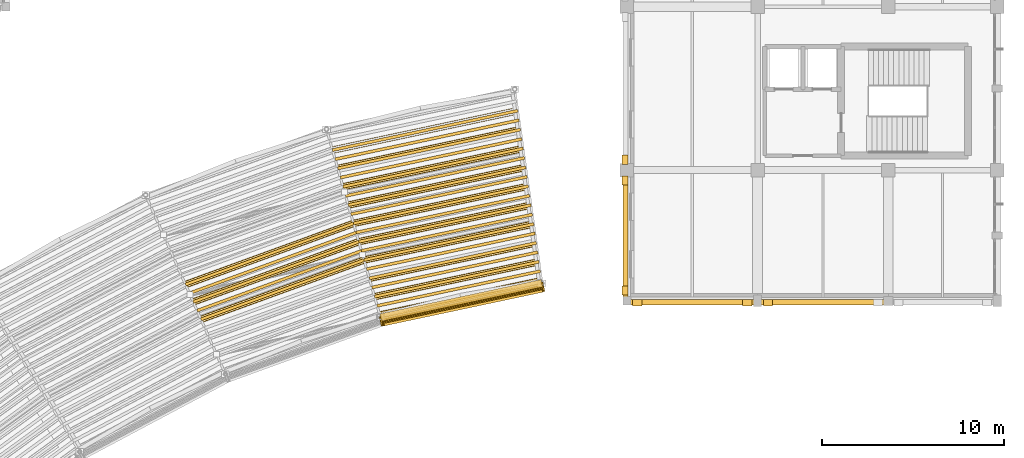
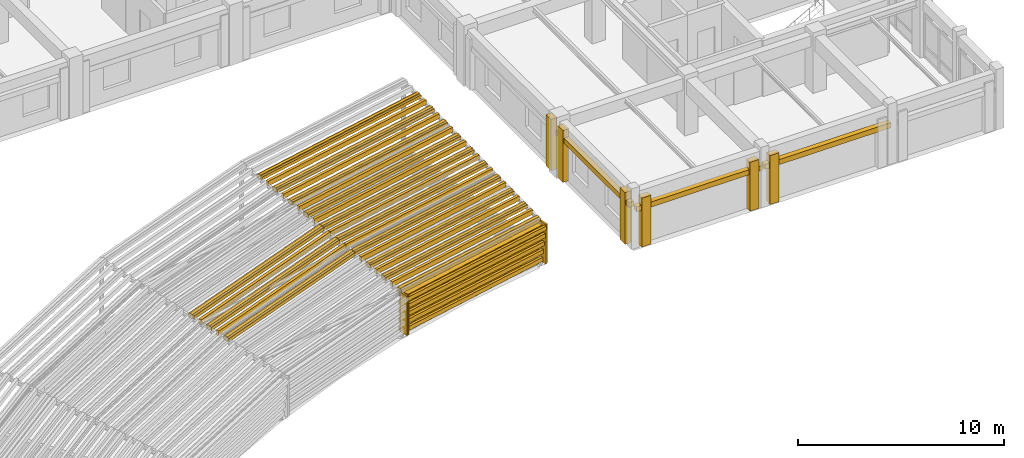
# One storey, part 73 of 74: 47 shading devices, 24 coverings.
"""IFC4 building model written with IfcOpenShell, lengths in metres."""

from ifc_helpers import new_model, si_unit, direction, frame, frame_2d, origin, place, context, subcontext, project, spatial, rectangle, extrude, material, layer, layer_set, type_object, element, save


model = new_model("IFC4")

# Units and contexts
model_context = context("Model", 3, precision=1e-05, world=origin(), true_north=direction((0.0, 1.0)))
body_context = subcontext(model_context, "Body", "Model", "MODEL_VIEW")
ifc_project = project(units=[si_unit("LENGTHUNIT", "METRE"), si_unit("AREAUNIT", "SQUARE_METRE"), si_unit("VOLUMEUNIT", "CUBIC_METRE"), si_unit("PLANEANGLEUNIT", "RADIAN"), si_unit("MASSUNIT", "GRAM", prefix="KILO")], contexts=[model_context])

# Site, building, storey
site_placement = place(None, origin())
site = spatial("IfcSite", under=ifc_project, at=site_placement, CompositionType="ELEMENT")
building_placement = place(site_placement, origin())
building = spatial("IfcBuilding", under=site, at=building_placement, Name="Clarverna Civic Hall", CompositionType="ELEMENT")
storey_placement = place(building_placement, frame((0.0, 0.0, 13.199951171875)))
storey = spatial("IfcBuildingStorey", under=building, at=storey_placement, Name="L03", CompositionType="ELEMENT", Elevation=13.199951171875)

# Coverings
ifc_material_1 = material(Name="Thermally Modified Teak Wood Slat Fascia Cladding", Category="wood")
ifc_layer_1 = layer(ifc_material_1, 0.080078125)
ifc_layer_set_1 = layer_set([ifc_layer_1], Name="Thermally Modified Teak Wood Slat Fascia Cladding")
covering_type_1 = type_object("IfcCoveringType", Name="CV-CL1", PredefinedType="CLADDING", material=ifc_layer_set_1)
covering_1_placement = place(storey_placement, frame((142.91552734375, 72.614501953125, 0.25), z_axis=(0.0, 0.0, 1.0), x_axis=(0.207698491076, -0.978192893454, 0.0)))
element("IfcCovering", 1, at=covering_1_placement, inside=storey, type_object=covering_type_1, Name="CV-CL1-189", PredefinedType="CLADDING", context=body_context, shape_type="SweptSolid", body=[
    extrude(rectangle(XDim=0.51025390625, YDim=0.10009765625, at=frame_2d((0.255126953125, 0.0))), origin(), (0.0, 0.0, 1.0), 2.35009765625),
])
for number, where, z_axis, x_axis, name in (
    (2, (134.01806640625, 70.72314453125, 0.25), (0.0, 0.0, 1.0), (0.207795765849, -0.978172234167, 0.0), "CV-CL1-190"),
    (3, (134.01123046875, 70.72119140625, 0.25), (0.0, 0.0, 1.0), (0.342242639083, -0.93961160912, 0.0), "CV-CL1-191"),
):
    element("IfcCovering", number, at=place(storey_placement, frame(where, z_axis=z_axis, x_axis=x_axis)), inside=storey, type_object=covering_type_1, Name=name, PredefinedType="CLADDING", context=body_context, shape_type="SweptSolid", body=[
        extrude(rectangle(XDim=0.510009765625, YDim=0.10009765625, at=frame_2d((0.2548828125, 0.0))), origin(), (0.0, 0.0, 1.0), 2.35009765625),
    ])
covering_2_placement = place(storey_placement, frame((142.905029296875, 72.714111328125, 2.510009765625), z_axis=(0.0, 0.0, 1.0), x_axis=(-0.978149049757, -0.207904873585, 0.0)))
element("IfcCovering", 4, at=covering_2_placement, inside=storey, type_object=covering_type_1, Name="CV-CL1-199", PredefinedType="CLADDING", context=body_context, shape_type="SweptSolid", body=[
    extrude(rectangle(XDim=9.1171875, YDim=0.340087890625, at=frame_2d((4.55859375, 0.0))), origin(), (0.0, 0.0, 1.0), 0.219970703125),
])
covering_3_placement = place(storey_placement, frame((142.7587890625, 73.75390625, 2.7451171875), z_axis=(0.0, 0.0, 1.0), x_axis=(-0.978146658629, -0.207916123024, 0.0)))
element("IfcCovering", 5, at=covering_3_placement, inside=storey, type_object=covering_type_1, Name="CV-CL1-204", PredefinedType="CLADDING", context=body_context, shape_type="SweptSolid", body=[
    extrude(rectangle(XDim=9.263427734375, YDim=0.340087890625, at=frame_2d((4.6318359375, 0.0))), origin(), (0.0, 0.0, 1.0), 0.219970703125),
])
covering_4_placement = place(storey_placement, frame((142.61279296875, 74.793701171875, 2.97998046875), z_axis=(0.0, 0.0, 1.0), x_axis=(-0.978146584987, -0.207916469473, 0.0)))
element("IfcCovering", 6, at=covering_4_placement, inside=storey, type_object=covering_type_1, Name="CV-CL1-209", PredefinedType="CLADDING", context=body_context, shape_type="SweptSolid", body=[
    extrude(rectangle(XDim=9.41015625, YDim=0.340087890625, at=frame_2d((4.705078125, 0.0))), origin(), (0.0, 0.0, 1.0), 0.219970703125),
])
covering_5_placement = place(storey_placement, frame((142.466552734375, 75.83349609375, 3.215087890625), z_axis=(0.0, 0.0, 1.0), x_axis=(-0.978144304787, -0.207927196423, 0.0)))
element("IfcCovering", 7, at=covering_5_placement, inside=storey, type_object=covering_type_1, Name="CV-CL1-214", PredefinedType="CLADDING", context=body_context, shape_type="SweptSolid", body=[
    extrude(rectangle(XDim=9.556640625, YDim=0.340087890625, at=frame_2d((4.7783203125, 0.0))), origin(), (0.0, 0.0, 1.0), 0.219970703125),
])
covering_6_placement = place(storey_placement, frame((133.118896484375, 73.846435546875, 3.215087890625), z_axis=(0.0, 0.0, 1.0), x_axis=(-0.939694928691, -0.342013802341, 0.0)))
element("IfcCovering", 8, at=covering_6_placement, inside=storey, type_object=covering_type_1, Name="CV-CL1-215", PredefinedType="CLADDING", context=body_context, shape_type="SweptSolid", body=[
    extrude(rectangle(XDim=9.556884765625, YDim=0.340087890625, at=frame_2d((4.7783203125, 0.0))), origin(), (0.0, 0.0, 1.0), 0.219970703125),
])
for number, where, z_axis, x_axis, name in (
    (9, (142.320556640625, 76.873046875, 3.449951171875), (0.0, 0.0, 1.0), (-0.978149385941, -0.207903291903, 0.0), "CV-CL1-219"),
    (10, (132.829345703125, 74.855712890625, 3.449951171875), (0.0, 0.0, 1.0), (-0.939694208501, -0.342015781084, 0.0), "CV-CL1-220"),
):
    element("IfcCovering", number, at=place(storey_placement, frame(where, z_axis=z_axis, x_axis=x_axis)), inside=storey, type_object=covering_type_1, Name=name, PredefinedType="CLADDING", context=body_context, shape_type="SweptSolid", body=[
        extrude(rectangle(XDim=9.703125, YDim=0.340087890625, at=frame_2d((4.8515625, 0.0))), origin(), (0.0, 0.0, 1.0), 0.22021484375),
    ])
for number, where, z_axis, x_axis, name in (
    (11, (142.17431640625, 77.912841796875, 3.68505859375), (0.0, 0.0, 1.0), (-0.978147132112, -0.207913895498, 0.0), "CV-CL1-224"),
    (12, (132.5400390625, 75.864990234375, 3.68505859375), (0.0, 0.0, 1.0), (-0.93969640914, -0.342009734729, 0.0), "CV-CL1-225"),
):
    element("IfcCovering", number, at=place(storey_placement, frame(where, z_axis=z_axis, x_axis=x_axis)), inside=storey, type_object=covering_type_1, Name=name, PredefinedType="CLADDING", context=body_context, shape_type="SweptSolid", body=[
        extrude(rectangle(XDim=9.849609375, YDim=0.340087890625, at=frame_2d((4.9248046875, 0.0))), origin(), (0.0, 0.0, 1.0), 0.219970703125),
    ])
covering_7_placement = place(storey_placement, frame((142.0283203125, 78.95263671875, 3.920166015625), z_axis=(0.0, 0.0, 1.0), x_axis=(-0.978152022536, -0.207890886787, 0.0)))
element("IfcCovering", 13, at=covering_7_placement, inside=storey, type_object=covering_type_1, Name="CV-CL1-229", PredefinedType="CLADDING", context=body_context, shape_type="SweptSolid", body=[
    extrude(rectangle(XDim=9.996337890625, YDim=0.340087890625, at=frame_2d((4.998046875, 0.0))), origin(), (0.0, 0.0, 1.0), 0.219970703125),
])
covering_8_placement = place(storey_placement, frame((141.882080078125, 79.992431640625, 4.155029296875), z_axis=(0.0, 0.0, 1.0), x_axis=(-0.97814979592, -0.207901363012, 0.0)))
element("IfcCovering", 14, at=covering_8_placement, inside=storey, type_object=covering_type_1, Name="CV-CL1-234", PredefinedType="CLADDING", context=body_context, shape_type="SweptSolid", body=[
    extrude(rectangle(XDim=10.142578125, YDim=0.340087890625, at=frame_2d((5.0712890625, 0.0))), origin(), (0.0, 0.0, 1.0), 0.219970703125),
])
covering_9_placement = place(storey_placement, frame((141.736083984375, 81.0322265625, 4.39013671875), z_axis=(0.0, 0.0, 1.0), x_axis=(-0.978149683826, -0.207901890396, 0.0)))
element("IfcCovering", 15, at=covering_9_placement, inside=storey, type_object=covering_type_1, Name="CV-CL1-239", PredefinedType="CLADDING", context=body_context, shape_type="SweptSolid", body=[
    extrude(rectangle(XDim=10.289306640625, YDim=0.340087890625, at=frame_2d((5.14453125, 0.0))), origin(), (0.0, 0.0, 1.0), 0.219970703125),
])
ifc_material_2 = material(Name="Montjuic Buff Limestone Ashlar Cladding", Category="masonry")
ifc_layer_2 = layer(ifc_material_2, 0.070068359375)
ifc_layer_set_2 = layer_set([ifc_layer_2], Name="Montjuic Buff Limestone Ashlar Cladding")
covering_type_2 = type_object("IfcCoveringType", Name="CV-CL2", PredefinedType="CLADDING", material=ifc_layer_set_2)
covering_10_placement = place(storey_placement, frame((161.93994140625, 71.52001953125, 2.14013671875), z_axis=(0.0, 0.0, 1.0), x_axis=(-1.0, 0.0, 0.0)))
element("IfcCovering", 16, at=covering_10_placement, inside=storey, type_object=covering_type_2, Name="CV-CL2-560", PredefinedType="CLADDING", context=body_context, shape_type="SweptSolid", body=[
    extrude(rectangle(XDim=7.079833984375, YDim=0.280029296875, at=frame_2d((3.5400390625, 0.0))), origin(), (0.0, 0.0, 1.0), 0.2998046875),
])
covering_11_placement = place(storey_placement, frame((155.6201171875, 71.489990234375, 0.0), z_axis=(0.0, 0.0, 1.0), x_axis=(-1.0, 0.0, 0.0)))
element("IfcCovering", 17, at=covering_11_placement, inside=storey, type_object=covering_type_2, Name="CV-CL2-562", PredefinedType="CLADDING", context=body_context, shape_type="SweptSolid", body=[
    extrude(rectangle(XDim=0.5, YDim=0.340087890625, at=frame_2d((0.25, 0.0))), origin(), (0.0, 0.0, 1.0), 2.900146484375),
])
covering_12_placement = place(storey_placement, frame((154.739990234375, 71.52001953125, 2.14013671875), z_axis=(0.0, 0.0, 1.0), x_axis=(-1.0, 0.0, 0.0)))
element("IfcCovering", 18, at=covering_12_placement, inside=storey, type_object=covering_type_2, Name="CV-CL2-563", PredefinedType="CLADDING", context=body_context, shape_type="SweptSolid", body=[
    extrude(rectangle(XDim=7.080078125, YDim=0.280029296875, at=frame_2d((3.5400390625, 0.0))), origin(), (0.0, 0.0, 1.0), 0.2998046875),
])
for number, where, z_axis, x_axis, name in (
    (19, (154.47998046875, 71.489990234375, 0.0), (0.0, 0.0, 1.0), (-1.0, 0.0, 0.0), "CV-CL2-564"),
    (20, (148.419921875, 71.489990234375, 0.0), (0.0, 0.0, 1.0), (-1.0, 0.0, 0.0), "CV-CL2-565"),
):
    element("IfcCovering", number, at=place(storey_placement, frame(where, z_axis=z_axis, x_axis=x_axis)), inside=storey, type_object=covering_type_2, Name=name, PredefinedType="CLADDING", context=body_context, shape_type="SweptSolid", body=[
        extrude(rectangle(XDim=0.5, YDim=0.340087890625, at=frame_2d((0.25, 0.0))), origin(), (0.0, 0.0, 1.0), 2.900146484375),
    ])
covering_13_placement = place(storey_placement, frame((147.52001953125, 71.659912109375, 2.320068359375), z_axis=(0.0, 0.0, 1.0), x_axis=(0.0, 1.0, 0.0)))
element("IfcCovering", 21, at=covering_13_placement, inside=storey, type_object=covering_type_2, Name="CV-CL2-566", PredefinedType="CLADDING", context=body_context, shape_type="SweptSolid", body=[
    extrude(rectangle(XDim=7.080078125, YDim=0.280029296875, at=frame_2d((3.5400390625, 0.0))), origin(), (0.0, 0.0, 1.0), 0.300048828125),
])
for number, where, z_axis, x_axis, name in (
    (22, (147.489990234375, 71.919921875, 0.0), (0.0, 0.0, 1.0), (0.0, 1.0, 0.0), "CV-CL2-567"),
    (23, (147.489990234375, 77.97998046875, 0.0), (0.0, 0.0, 1.0), (0.0, 1.0, 0.0), "CV-CL2-568"),
):
    element("IfcCovering", number, at=place(storey_placement, frame(where, z_axis=z_axis, x_axis=x_axis)), inside=storey, type_object=covering_type_2, Name=name, PredefinedType="CLADDING", context=body_context, shape_type="SweptSolid", body=[
        extrude(rectangle(XDim=0.5, YDim=0.340087890625, at=frame_2d((0.25, 0.0))), origin(), (0.0, 0.0, 1.0), 3.080078125),
    ])
covering_14_placement = place(storey_placement, frame((147.489990234375, 79.1201171875, 0.0), z_axis=(0.0, 0.0, 1.0), x_axis=(0.0, 1.0, 0.0)))
element("IfcCovering", 24, at=covering_14_placement, inside=storey, type_object=covering_type_2, Name="CV-CL2-570", PredefinedType="CLADDING", context=body_context, shape_type="SweptSolid", body=[
    extrude(rectangle(XDim=0.5, YDim=0.340087890625, at=frame_2d((0.25, 0.0))), origin(), (0.0, 0.0, 1.0), 3.050048828125),
])

# Shading devices
ifc_material_3 = material(Name="Thermally Modified Teak Wood Slats", Category="wood")
ifc_layer_3 = layer(ifc_material_3, 0.06494140625)
ifc_layer_set_3 = layer_set([ifc_layer_3], Name="Thermally Modified Teak Wood Slats")
shading_device_type = type_object("IfcShadingDeviceType", Name="SD-WD1", PredefinedType="JALOUSIE", material=ifc_layer_set_3)
shading_device_1_placement = place(storey_placement, frame((142.94384765625, 72.38525390625, 0.300048828125), z_axis=(0.0, 0.0, 1.0), x_axis=(-0.978149806173, -0.207901314772, 0.0)))
element("IfcShadingDevice", 25, at=shading_device_1_placement, inside=storey, type_object=shading_device_type, Name="SD-WD1-253", PredefinedType="JALOUSIE", context=body_context, shape_type="SweptSolid", body=[
    extrude(rectangle(XDim=9.056396484375, YDim=0.139892578125, at=frame_2d((4.5283203125, 0.0))), origin(), (0.0, 0.0, 1.0), 0.239990234375),
])
shading_device_2_placement = place(storey_placement, frame((142.92578125, 72.5654296875, 0.260009765625), z_axis=(0.0, 0.0, 1.0), x_axis=(-0.978149845886, -0.207901127929, 0.0)))
element("IfcShadingDevice", 26, at=shading_device_2_placement, inside=storey, type_object=shading_device_type, Name="SD-WD1-254", PredefinedType="JALOUSIE", context=body_context, shape_type="SweptSolid", body=[
    extrude(rectangle(XDim=9.09619140625, YDim=0.419921875, at=frame_2d((4.548095703125, 0.0))), origin(), (0.0, 0.0, 1.0), 0.199951171875),
])
shading_device_3_placement = place(storey_placement, frame((142.956298828125, 72.32666015625, 0.800048828125), z_axis=(0.0, 0.0, 1.0), x_axis=(-0.978144323689, -0.207927107502, 0.0)))
element("IfcShadingDevice", 27, at=shading_device_3_placement, inside=storey, type_object=shading_device_type, Name="SD-WD1-255", PredefinedType="JALOUSIE", context=body_context, shape_type="SweptSolid", body=[
    extrude(rectangle(XDim=9.056396484375, YDim=0.139892578125, at=frame_2d((4.5283203125, 0.0))), origin(), (0.0, 0.0, 1.0), 0.239990234375),
])
shading_device_4_placement = place(storey_placement, frame((142.92578125, 72.5654296875, 0.760009765625), z_axis=(0.0, 0.0, 1.0), x_axis=(-0.978149845886, -0.207901127929, 0.0)))
element("IfcShadingDevice", 28, at=shading_device_4_placement, inside=storey, type_object=shading_device_type, Name="SD-WD1-256", PredefinedType="JALOUSIE", context=body_context, shape_type="SweptSolid", body=[
    extrude(rectangle(XDim=9.09619140625, YDim=0.419921875, at=frame_2d((4.548095703125, 0.0))), origin(), (0.0, 0.0, 1.0), 0.199951171875),
])
shading_device_5_placement = place(storey_placement, frame((142.96875, 72.267822265625, 1.300048828125), z_axis=(0.0, 0.0, 1.0), x_axis=(-0.978149806173, -0.207901314772, 0.0)))
element("IfcShadingDevice", 29, at=shading_device_5_placement, inside=storey, type_object=shading_device_type, Name="SD-WD1-257", PredefinedType="JALOUSIE", context=body_context, shape_type="SweptSolid", body=[
    extrude(rectangle(XDim=9.056396484375, YDim=0.139892578125, at=frame_2d((4.5283203125, 0.0))), origin(), (0.0, 0.0, 1.0), 0.239990234375),
])
shading_device_6_placement = place(storey_placement, frame((142.92578125, 72.5654296875, 1.260009765625), z_axis=(0.0, 0.0, 1.0), x_axis=(-0.978149845886, -0.207901127929, 0.0)))
element("IfcShadingDevice", 30, at=shading_device_6_placement, inside=storey, type_object=shading_device_type, Name="SD-WD1-258", PredefinedType="JALOUSIE", context=body_context, shape_type="SweptSolid", body=[
    extrude(rectangle(XDim=9.09619140625, YDim=0.419921875, at=frame_2d((4.548095703125, 0.0))), origin(), (0.0, 0.0, 1.0), 0.199951171875),
])
shading_device_7_placement = place(storey_placement, frame((142.981201171875, 72.209228515625, 1.800048828125), z_axis=(0.0, 0.0, 1.0), x_axis=(-0.978149806173, -0.207901314772, 0.0)))
element("IfcShadingDevice", 31, at=shading_device_7_placement, inside=storey, type_object=shading_device_type, Name="SD-WD1-259", PredefinedType="JALOUSIE", context=body_context, shape_type="SweptSolid", body=[
    extrude(rectangle(XDim=9.056396484375, YDim=0.139892578125, at=frame_2d((4.5283203125, 0.0))), origin(), (0.0, 0.0, 1.0), 0.239990234375),
])
shading_device_8_placement = place(storey_placement, frame((142.92578125, 72.5654296875, 1.760009765625), z_axis=(0.0, 0.0, 1.0), x_axis=(-0.978149845886, -0.207901127929, 0.0)))
element("IfcShadingDevice", 32, at=shading_device_8_placement, inside=storey, type_object=shading_device_type, Name="SD-WD1-260", PredefinedType="JALOUSIE", context=body_context, shape_type="SweptSolid", body=[
    extrude(rectangle(XDim=9.09619140625, YDim=0.419921875, at=frame_2d((4.548095703125, 0.0))), origin(), (0.0, 0.0, 1.0), 0.199951171875),
])
shading_device_9_placement = place(storey_placement, frame((142.99365234375, 72.150390625, 2.280029296875), z_axis=(0.0, 0.0, 1.0), x_axis=(-0.978149806173, -0.207901314772, 0.0)))
element("IfcShadingDevice", 33, at=shading_device_9_placement, inside=storey, type_object=shading_device_type, Name="SD-WD1-261", PredefinedType="JALOUSIE", context=body_context, shape_type="SweptSolid", body=[
    extrude(rectangle(XDim=9.056396484375, YDim=0.139892578125, at=frame_2d((4.5283203125, 0.0))), origin(), (0.0, 0.0, 1.0), 0.239990234375),
])
shading_device_10_placement = place(storey_placement, frame((142.92578125, 72.5654296875, 2.239990234375), z_axis=(0.0, 0.0, 1.0), x_axis=(-0.978149845886, -0.207901127929, 0.0)))
element("IfcShadingDevice", 34, at=shading_device_10_placement, inside=storey, type_object=shading_device_type, Name="SD-WD1-262", PredefinedType="JALOUSIE", context=body_context, shape_type="SweptSolid", body=[
    extrude(rectangle(XDim=9.09619140625, YDim=0.419921875, at=frame_2d((4.548095703125, 0.0))), origin(), (0.0, 0.0, 1.0), 0.199951171875),
])
shading_device_11_placement = place(storey_placement, frame((142.905029296875, 72.714111328125, 2.489990234375), z_axis=(0.0, 0.0, 1.0), x_axis=(-0.978149049757, -0.207904873585, 0.0)))
element("IfcShadingDevice", 35, at=shading_device_11_placement, inside=storey, type_object=shading_device_type, Name="SD-WD1-303", PredefinedType="JALOUSIE", context=body_context, shape_type="SweptSolid", body=[
    extrude(rectangle(XDim=9.1171875, YDim=0.159912109375, at=frame_2d((4.55859375, 0.0))), origin(), (0.0, 0.0, 1.0), 0.280029296875),
])
shading_device_12_placement = place(storey_placement, frame((142.905029296875, 72.714111328125, 2.530029296875), z_axis=(0.0, 0.0, 1.0), x_axis=(-0.978149049757, -0.207904873585, 0.0)))
element("IfcShadingDevice", 36, at=shading_device_12_placement, inside=storey, type_object=shading_device_type, Name="SD-WD1-304", PredefinedType="JALOUSIE", context=body_context, shape_type="SweptSolid", body=[
    extrude(rectangle(XDim=9.1171875, YDim=0.3798828125, at=frame_2d((4.55859375, 0.0))), origin(), (0.0, 0.0, 1.0), 0.179931640625),
])
shading_device_13_placement = place(storey_placement, frame((142.83203125, 73.23388671875, 2.607666015625), z_axis=(0.0, 0.0, 1.0), x_axis=(-0.978146291809, -0.207917848731, 0.0)))
element("IfcShadingDevice", 37, at=shading_device_13_placement, inside=storey, type_object=shading_device_type, Name="SD-WD1-313", PredefinedType="JALOUSIE", context=body_context, shape_type="SweptSolid", body=[
    extrude(rectangle(XDim=9.190673828125, YDim=0.159912109375, at=frame_2d((4.59521484375, 0.0))), origin(), (0.0, 0.0, 1.0), 0.27978515625),
])
shading_device_14_placement = place(storey_placement, frame((142.7587890625, 73.75390625, 2.72509765625), z_axis=(0.0, 0.0, 1.0), x_axis=(-0.978146658629, -0.207916123024, 0.0)))
element("IfcShadingDevice", 38, at=shading_device_14_placement, inside=storey, type_object=shading_device_type, Name="SD-WD1-318", PredefinedType="JALOUSIE", context=body_context, shape_type="SweptSolid", body=[
    extrude(rectangle(XDim=9.263427734375, YDim=0.159912109375, at=frame_2d((4.6318359375, 0.0))), origin(), (0.0, 0.0, 1.0), 0.280029296875),
])
shading_device_15_placement = place(storey_placement, frame((142.7587890625, 73.75390625, 2.76513671875), z_axis=(0.0, 0.0, 1.0), x_axis=(-0.978146658629, -0.207916123024, 0.0)))
element("IfcShadingDevice", 39, at=shading_device_15_placement, inside=storey, type_object=shading_device_type, Name="SD-WD1-319", PredefinedType="JALOUSIE", context=body_context, shape_type="SweptSolid", body=[
    extrude(rectangle(XDim=9.263427734375, YDim=0.3798828125, at=frame_2d((4.6318359375, 0.0))), origin(), (0.0, 0.0, 1.0), 0.179931640625),
])
shading_device_16_placement = place(storey_placement, frame((142.685791015625, 74.273681640625, 2.842529296875), z_axis=(0.0, 0.0, 1.0), x_axis=(-0.978149280346, -0.207903788709, 0.0)))
element("IfcShadingDevice", 40, at=shading_device_16_placement, inside=storey, type_object=shading_device_type, Name="SD-WD1-328", PredefinedType="JALOUSIE", context=body_context, shape_type="SweptSolid", body=[
    extrude(rectangle(XDim=9.3369140625, YDim=0.159912109375, at=frame_2d((4.66845703125, 0.0))), origin(), (0.0, 0.0, 1.0), 0.280029296875),
])
shading_device_17_placement = place(storey_placement, frame((142.61279296875, 74.793701171875, 2.9599609375), z_axis=(0.0, 0.0, 1.0), x_axis=(-0.978146584987, -0.207916469473, 0.0)))
element("IfcShadingDevice", 41, at=shading_device_17_placement, inside=storey, type_object=shading_device_type, Name="SD-WD1-333", PredefinedType="JALOUSIE", context=body_context, shape_type="SweptSolid", body=[
    extrude(rectangle(XDim=9.41015625, YDim=0.159912109375, at=frame_2d((4.705078125, 0.0))), origin(), (0.0, 0.0, 1.0), 0.280029296875),
])
shading_device_18_placement = place(storey_placement, frame((142.61279296875, 74.793701171875, 3.0), z_axis=(0.0, 0.0, 1.0), x_axis=(-0.978146584987, -0.207916469473, 0.0)))
element("IfcShadingDevice", 42, at=shading_device_18_placement, inside=storey, type_object=shading_device_type, Name="SD-WD1-334", PredefinedType="JALOUSIE", context=body_context, shape_type="SweptSolid", body=[
    extrude(rectangle(XDim=9.41015625, YDim=0.3798828125, at=frame_2d((4.705078125, 0.0))), origin(), (0.0, 0.0, 1.0), 0.179931640625),
])
shading_device_19_placement = place(storey_placement, frame((142.539794921875, 75.3134765625, 3.07763671875), z_axis=(0.0, 0.0, 1.0), x_axis=(-0.978148053923, -0.207909558718, 0.0)))
element("IfcShadingDevice", 43, at=shading_device_19_placement, inside=storey, type_object=shading_device_type, Name="SD-WD1-343", PredefinedType="JALOUSIE", context=body_context, shape_type="SweptSolid", body=[
    extrude(rectangle(XDim=9.4833984375, YDim=0.159912109375, at=frame_2d((4.74169921875, 0.0))), origin(), (0.0, 0.0, 1.0), 0.280029296875),
])
shading_device_20_placement = place(storey_placement, frame((142.466552734375, 75.83349609375, 3.195068359375), z_axis=(0.0, 0.0, 1.0), x_axis=(-0.978144304787, -0.207927196423, 0.0)))
element("IfcShadingDevice", 44, at=shading_device_20_placement, inside=storey, type_object=shading_device_type, Name="SD-WD1-348", PredefinedType="JALOUSIE", context=body_context, shape_type="SweptSolid", body=[
    extrude(rectangle(XDim=9.556640625, YDim=0.159912109375, at=frame_2d((4.7783203125, 0.0))), origin(), (0.0, 0.0, 1.0), 0.280029296875),
])
shading_device_21_placement = place(storey_placement, frame((142.466552734375, 75.83349609375, 3.235107421875), z_axis=(0.0, 0.0, 1.0), x_axis=(-0.978144304787, -0.207927196423, 0.0)))
element("IfcShadingDevice", 45, at=shading_device_21_placement, inside=storey, type_object=shading_device_type, Name="SD-WD1-349", PredefinedType="JALOUSIE", context=body_context, shape_type="SweptSolid", body=[
    extrude(rectangle(XDim=9.556640625, YDim=0.3798828125, at=frame_2d((4.7783203125, 0.0))), origin(), (0.0, 0.0, 1.0), 0.179931640625),
])
shading_device_22_placement = place(storey_placement, frame((133.118896484375, 73.846435546875, 3.195068359375), z_axis=(0.0, 0.0, 1.0), x_axis=(-0.939694928691, -0.342013802341, 0.0)))
element("IfcShadingDevice", 46, at=shading_device_22_placement, inside=storey, type_object=shading_device_type, Name="SD-WD1-350", PredefinedType="JALOUSIE", context=body_context, shape_type="SweptSolid", body=[
    extrude(rectangle(XDim=9.556884765625, YDim=0.159912109375, at=frame_2d((4.7783203125, 0.0))), origin(), (0.0, 0.0, 1.0), 0.280029296875),
])
shading_device_23_placement = place(storey_placement, frame((133.118896484375, 73.846435546875, 3.235107421875), z_axis=(0.0, 0.0, 1.0), x_axis=(-0.939694928691, -0.342013802341, 0.0)))
element("IfcShadingDevice", 47, at=shading_device_23_placement, inside=storey, type_object=shading_device_type, Name="SD-WD1-351", PredefinedType="JALOUSIE", context=body_context, shape_type="SweptSolid", body=[
    extrude(rectangle(XDim=9.556884765625, YDim=0.3798828125, at=frame_2d((4.7783203125, 0.0))), origin(), (0.0, 0.0, 1.0), 0.179931640625),
])
for number, where, z_axis, x_axis, name in (
    (48, (142.3935546875, 76.353271484375, 3.3125), (0.0, 0.0, 1.0), (-0.97814686479, -0.207915153132, 0.0), "SD-WD1-358"),
    (49, (132.97412109375, 74.35107421875, 3.3125), (0.0, 0.0, 1.0), (-0.939697157073, -0.342007679722, 0.0), "SD-WD1-359"),
):
    element("IfcShadingDevice", number, at=place(storey_placement, frame(where, z_axis=z_axis, x_axis=x_axis)), inside=storey, type_object=shading_device_type, Name=name, PredefinedType="JALOUSIE", context=body_context, shape_type="SweptSolid", body=[
        extrude(rectangle(XDim=9.6298828125, YDim=0.159912109375, at=frame_2d((4.81494140625, 0.0))), origin(), (0.0, 0.0, 1.0), 0.280029296875),
    ])
shading_device_24_placement = place(storey_placement, frame((142.320556640625, 76.873046875, 3.429931640625), z_axis=(0.0, 0.0, 1.0), x_axis=(-0.978149385941, -0.207903291903, 0.0)))
element("IfcShadingDevice", 50, at=shading_device_24_placement, inside=storey, type_object=shading_device_type, Name="SD-WD1-363", PredefinedType="JALOUSIE", context=body_context, shape_type="SweptSolid", body=[
    extrude(rectangle(XDim=9.703125, YDim=0.159912109375, at=frame_2d((4.8515625, 0.0))), origin(), (0.0, 0.0, 1.0), 0.280029296875),
])
shading_device_25_placement = place(storey_placement, frame((142.320556640625, 76.873046875, 3.469970703125), z_axis=(0.0, 0.0, 1.0), x_axis=(-0.978149385941, -0.207903291903, 0.0)))
element("IfcShadingDevice", 51, at=shading_device_25_placement, inside=storey, type_object=shading_device_type, Name="SD-WD1-364", PredefinedType="JALOUSIE", context=body_context, shape_type="SweptSolid", body=[
    extrude(rectangle(XDim=9.703125, YDim=0.3798828125, at=frame_2d((4.8515625, 0.0))), origin(), (0.0, 0.0, 1.0), 0.18017578125),
])
shading_device_26_placement = place(storey_placement, frame((132.829345703125, 74.855712890625, 3.429931640625), z_axis=(0.0, 0.0, 1.0), x_axis=(-0.939694208501, -0.342015781084, 0.0)))
element("IfcShadingDevice", 52, at=shading_device_26_placement, inside=storey, type_object=shading_device_type, Name="SD-WD1-365", PredefinedType="JALOUSIE", context=body_context, shape_type="SweptSolid", body=[
    extrude(rectangle(XDim=9.703125, YDim=0.159912109375, at=frame_2d((4.8515625, 0.0))), origin(), (0.0, 0.0, 1.0), 0.280029296875),
])
shading_device_27_placement = place(storey_placement, frame((132.829345703125, 74.855712890625, 3.469970703125), z_axis=(0.0, 0.0, 1.0), x_axis=(-0.939694208501, -0.342015781084, 0.0)))
element("IfcShadingDevice", 53, at=shading_device_27_placement, inside=storey, type_object=shading_device_type, Name="SD-WD1-366", PredefinedType="JALOUSIE", context=body_context, shape_type="SweptSolid", body=[
    extrude(rectangle(XDim=9.703125, YDim=0.3798828125, at=frame_2d((4.8515625, 0.0))), origin(), (0.0, 0.0, 1.0), 0.18017578125),
])
shading_device_28_placement = place(storey_placement, frame((142.247314453125, 77.39306640625, 3.547607421875), z_axis=(0.0, 0.0, 1.0), x_axis=(-0.978144631648, -0.20792565878, 0.0)))
element("IfcShadingDevice", 54, at=shading_device_28_placement, inside=storey, type_object=shading_device_type, Name="SD-WD1-373", PredefinedType="JALOUSIE", context=body_context, shape_type="SweptSolid", body=[
    extrude(rectangle(XDim=9.776123046875, YDim=0.159912109375, at=frame_2d((4.88818359375, 0.0))), origin(), (0.0, 0.0, 1.0), 0.280029296875),
])
shading_device_29_placement = place(storey_placement, frame((132.684814453125, 75.3603515625, 3.547607421875), z_axis=(0.0, 0.0, 1.0), x_axis=(-0.939694225262, -0.34201573503, 0.0)))
element("IfcShadingDevice", 55, at=shading_device_29_placement, inside=storey, type_object=shading_device_type, Name="SD-WD1-374", PredefinedType="JALOUSIE", context=body_context, shape_type="SweptSolid", body=[
    extrude(rectangle(XDim=9.776611328125, YDim=0.159912109375, at=frame_2d((4.88818359375, 0.0))), origin(), (0.0, 0.0, 1.0), 0.280029296875),
])
shading_device_30_placement = place(storey_placement, frame((142.17431640625, 77.912841796875, 3.6650390625), z_axis=(0.0, 0.0, 1.0), x_axis=(-0.978147132112, -0.207913895498, 0.0)))
element("IfcShadingDevice", 56, at=shading_device_30_placement, inside=storey, type_object=shading_device_type, Name="SD-WD1-378", PredefinedType="JALOUSIE", context=body_context, shape_type="SweptSolid", body=[
    extrude(rectangle(XDim=9.849609375, YDim=0.159912109375, at=frame_2d((4.9248046875, 0.0))), origin(), (0.0, 0.0, 1.0), 0.280029296875),
])
shading_device_31_placement = place(storey_placement, frame((142.17431640625, 77.912841796875, 3.705078125), z_axis=(0.0, 0.0, 1.0), x_axis=(-0.978147132112, -0.207913895498, 0.0)))
element("IfcShadingDevice", 57, at=shading_device_31_placement, inside=storey, type_object=shading_device_type, Name="SD-WD1-379", PredefinedType="JALOUSIE", context=body_context, shape_type="SweptSolid", body=[
    extrude(rectangle(XDim=9.849609375, YDim=0.3798828125, at=frame_2d((4.9248046875, 0.0))), origin(), (0.0, 0.0, 1.0), 0.179931640625),
])
shading_device_32_placement = place(storey_placement, frame((132.5400390625, 75.864990234375, 3.6650390625), z_axis=(0.0, 0.0, 1.0), x_axis=(-0.93969640914, -0.342009734729, 0.0)))
element("IfcShadingDevice", 58, at=shading_device_32_placement, inside=storey, type_object=shading_device_type, Name="SD-WD1-380", PredefinedType="JALOUSIE", context=body_context, shape_type="SweptSolid", body=[
    extrude(rectangle(XDim=9.849609375, YDim=0.159912109375, at=frame_2d((4.9248046875, 0.0))), origin(), (0.0, 0.0, 1.0), 0.280029296875),
])
shading_device_33_placement = place(storey_placement, frame((132.5400390625, 75.864990234375, 3.705078125), z_axis=(0.0, 0.0, 1.0), x_axis=(-0.93969640914, -0.342009734729, 0.0)))
element("IfcShadingDevice", 59, at=shading_device_33_placement, inside=storey, type_object=shading_device_type, Name="SD-WD1-381", PredefinedType="JALOUSIE", context=body_context, shape_type="SweptSolid", body=[
    extrude(rectangle(XDim=9.849609375, YDim=0.3798828125, at=frame_2d((4.9248046875, 0.0))), origin(), (0.0, 0.0, 1.0), 0.179931640625),
])
shading_device_34_placement = place(storey_placement, frame((142.101318359375, 78.432861328125, 3.782470703125), z_axis=(0.0, 0.0, 1.0), x_axis=(-0.978144591788, -0.207925846292, 0.0)))
element("IfcShadingDevice", 60, at=shading_device_34_placement, inside=storey, type_object=shading_device_type, Name="SD-WD1-388", PredefinedType="JALOUSIE", context=body_context, shape_type="SweptSolid", body=[
    extrude(rectangle(XDim=9.9228515625, YDim=0.159912109375, at=frame_2d((4.96142578125, 0.0))), origin(), (0.0, 0.0, 1.0), 0.280029296875),
])
shading_device_35_placement = place(storey_placement, frame((142.0283203125, 78.95263671875, 3.900146484375), z_axis=(0.0, 0.0, 1.0), x_axis=(-0.978152022536, -0.207890886787, 0.0)))
element("IfcShadingDevice", 61, at=shading_device_35_placement, inside=storey, type_object=shading_device_type, Name="SD-WD1-393", PredefinedType="JALOUSIE", context=body_context, shape_type="SweptSolid", body=[
    extrude(rectangle(XDim=9.996337890625, YDim=0.159912109375, at=frame_2d((4.998046875, 0.0))), origin(), (0.0, 0.0, 1.0), 0.27978515625),
])
shading_device_36_placement = place(storey_placement, frame((142.0283203125, 78.95263671875, 3.93994140625), z_axis=(0.0, 0.0, 1.0), x_axis=(-0.978152022536, -0.207890886787, 0.0)))
element("IfcShadingDevice", 62, at=shading_device_36_placement, inside=storey, type_object=shading_device_type, Name="SD-WD1-394", PredefinedType="JALOUSIE", context=body_context, shape_type="SweptSolid", body=[
    extrude(rectangle(XDim=9.996337890625, YDim=0.3798828125, at=frame_2d((4.998046875, 0.0))), origin(), (0.0, 0.0, 1.0), 0.18017578125),
])
shading_device_37_placement = place(storey_placement, frame((141.955078125, 79.47265625, 4.017578125), z_axis=(0.0, 0.0, 1.0), x_axis=(-0.97814738777, -0.20791269273, 0.0)))
element("IfcShadingDevice", 63, at=shading_device_37_placement, inside=storey, type_object=shading_device_type, Name="SD-WD1-403", PredefinedType="JALOUSIE", context=body_context, shape_type="SweptSolid", body=[
    extrude(rectangle(XDim=10.069091796875, YDim=0.159912109375, at=frame_2d((5.03466796875, 0.0))), origin(), (0.0, 0.0, 1.0), 0.280029296875),
])
shading_device_38_placement = place(storey_placement, frame((141.882080078125, 79.992431640625, 4.135009765625), z_axis=(0.0, 0.0, 1.0), x_axis=(-0.97814979592, -0.207901363012, 0.0)))
element("IfcShadingDevice", 64, at=shading_device_38_placement, inside=storey, type_object=shading_device_type, Name="SD-WD1-408", PredefinedType="JALOUSIE", context=body_context, shape_type="SweptSolid", body=[
    extrude(rectangle(XDim=10.142578125, YDim=0.159912109375, at=frame_2d((5.0712890625, 0.0))), origin(), (0.0, 0.0, 1.0), 0.280029296875),
])
shading_device_39_placement = place(storey_placement, frame((141.882080078125, 79.992431640625, 4.175048828125), z_axis=(0.0, 0.0, 1.0), x_axis=(-0.97814979592, -0.207901363012, 0.0)))
element("IfcShadingDevice", 65, at=shading_device_39_placement, inside=storey, type_object=shading_device_type, Name="SD-WD1-409", PredefinedType="JALOUSIE", context=body_context, shape_type="SweptSolid", body=[
    extrude(rectangle(XDim=10.142578125, YDim=0.3798828125, at=frame_2d((5.0712890625, 0.0))), origin(), (0.0, 0.0, 1.0), 0.179931640625),
])
shading_device_40_placement = place(storey_placement, frame((141.80908203125, 80.512451171875, 4.25244140625), z_axis=(0.0, 0.0, 1.0), x_axis=(-0.978147309463, -0.207913061137, 0.0)))
element("IfcShadingDevice", 66, at=shading_device_40_placement, inside=storey, type_object=shading_device_type, Name="SD-WD1-418", PredefinedType="JALOUSIE", context=body_context, shape_type="SweptSolid", body=[
    extrude(rectangle(XDim=10.2158203125, YDim=0.159912109375, at=frame_2d((5.10791015625, 0.0))), origin(), (0.0, 0.0, 1.0), 0.280029296875),
])
shading_device_41_placement = place(storey_placement, frame((141.736083984375, 81.0322265625, 4.3701171875), z_axis=(0.0, 0.0, 1.0), x_axis=(-0.978149683826, -0.207901890396, 0.0)))
element("IfcShadingDevice", 67, at=shading_device_41_placement, inside=storey, type_object=shading_device_type, Name="SD-WD1-423", PredefinedType="JALOUSIE", context=body_context, shape_type="SweptSolid", body=[
    extrude(rectangle(XDim=10.289306640625, YDim=0.159912109375, at=frame_2d((5.14453125, 0.0))), origin(), (0.0, 0.0, 1.0), 0.280029296875),
])
shading_device_42_placement = place(storey_placement, frame((141.736083984375, 81.0322265625, 4.41015625), z_axis=(0.0, 0.0, 1.0), x_axis=(-0.978149683826, -0.207901890396, 0.0)))
element("IfcShadingDevice", 68, at=shading_device_42_placement, inside=storey, type_object=shading_device_type, Name="SD-WD1-424", PredefinedType="JALOUSIE", context=body_context, shape_type="SweptSolid", body=[
    extrude(rectangle(XDim=10.289306640625, YDim=0.3798828125, at=frame_2d((5.14453125, 0.0))), origin(), (0.0, 0.0, 1.0), 0.179931640625),
])
shading_device_43_placement = place(storey_placement, frame((141.662841796875, 81.55224609375, 4.487548828125), z_axis=(0.0, 0.0, 1.0), x_axis=(-0.978145196364, -0.207923002166, 0.0)))
element("IfcShadingDevice", 69, at=shading_device_43_placement, inside=storey, type_object=shading_device_type, Name="SD-WD1-433", PredefinedType="JALOUSIE", context=body_context, shape_type="SweptSolid", body=[
    extrude(rectangle(XDim=10.3623046875, YDim=0.159912109375, at=frame_2d((5.18115234375, 0.0))), origin(), (0.0, 0.0, 1.0), 0.280029296875),
])
shading_device_44_placement = place(storey_placement, frame((141.58984375, 82.072021484375, 4.60498046875), z_axis=(0.0, 0.0, 1.0), x_axis=(-0.978147552411, -0.20791191816, 0.0)))
element("IfcShadingDevice", 70, at=shading_device_44_placement, inside=storey, type_object=shading_device_type, Name="SD-WD1-438", PredefinedType="JALOUSIE", context=body_context, shape_type="SweptSolid", body=[
    extrude(rectangle(XDim=10.435546875, YDim=0.159912109375, at=frame_2d((5.2177734375, 0.0))), origin(), (0.0, 0.0, 1.0), 0.280029296875),
])
shading_device_45_placement = place(storey_placement, frame((141.58984375, 82.072021484375, 4.64501953125), z_axis=(0.0, 0.0, 1.0), x_axis=(-0.978147552411, -0.20791191816, 0.0)))
element("IfcShadingDevice", 71, at=shading_device_45_placement, inside=storey, type_object=shading_device_type, Name="SD-WD1-439", PredefinedType="JALOUSIE", context=body_context, shape_type="SweptSolid", body=[
    extrude(rectangle(XDim=10.435546875, YDim=0.3798828125, at=frame_2d((5.2177734375, 0.0))), origin(), (0.0, 0.0, 1.0), 0.179931640625),
])

save(model, "model.ifc")
